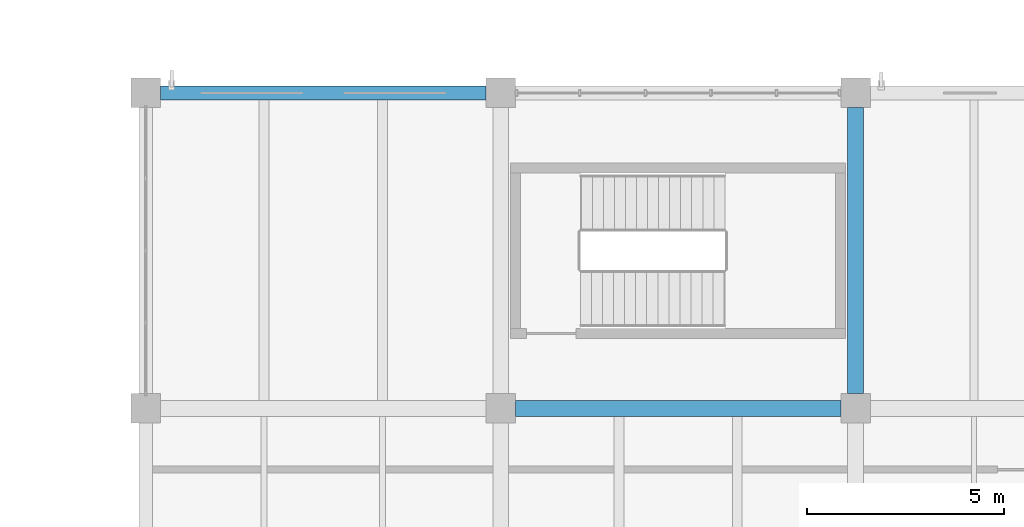
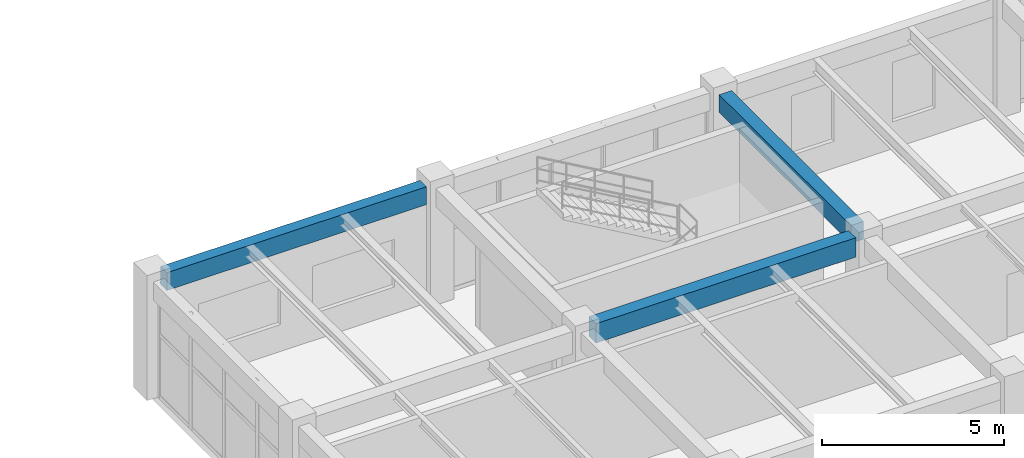
# One storey, part 83 of 148: 3 beams.
"""IFC4 building model written with IfcOpenShell, lengths in metres."""

from ifc_helpers import new_model, si_unit, derived_unit, direction, frame, origin, origin_2d, place, context, subcontext, project, spatial, rectangle, extrude, material, material_profile, profile_set, type_object, element, save


model = new_model("IFC4")

# Units and contexts
model_context = context("Model", 3, precision=1e-05, world=origin(), true_north=direction((0.0, 1.0)))
body_context = subcontext(model_context, "Body", "Model", "MODEL_VIEW")
ifc_project = project(units=[si_unit("LENGTHUNIT", "METRE"), si_unit("AREAUNIT", "SQUARE_METRE"), si_unit("VOLUMEUNIT", "CUBIC_METRE"), si_unit("PLANEANGLEUNIT", "RADIAN"), si_unit("MASSUNIT", "GRAM", prefix="KILO"), derived_unit("THERMALTRANSMITTANCEUNIT", [(si_unit("MASSUNIT", "GRAM", prefix="KILO"), 1), (si_unit("TIMEUNIT", "SECOND"), -3), (si_unit("THERMODYNAMICTEMPERATUREUNIT", "KELVIN"), -1)])], contexts=[model_context])

# Site, building, storey
site_placement = place(None, origin())
site = spatial("IfcSite", under=ifc_project, at=site_placement, CompositionType="ELEMENT")
building_placement = place(site_placement, origin())
building = spatial("IfcBuilding", under=site, at=building_placement, Name="Zhenchuan Archway Interchange", CompositionType="ELEMENT")
storey_placement = place(building_placement, frame((0.0, 0.0, 10.199951171875)))
storey = spatial("IfcBuildingStorey", under=building, at=storey_placement, Name="L02", CompositionType="ELEMENT", Elevation=10.199951171875)

# Beams
ifc_material = material(Name="Concrete C40", Category="concrete")
ifc_material_profile_1 = material_profile(ifc_material, rectangle(XDim=0.39990234375, YDim=0.60009765625, at=origin_2d()), Name="RC 400x600")
ifc_profile_set_1 = profile_set([ifc_material_profile_1], Name="Concrete C40")
beam_type_1 = type_object("IfcBeamType", Name="BM_RC_400x600", PredefinedType="BEAM", material=ifc_profile_set_1)
beam_1_placement = place(storey_placement, frame((126.0, 96.375, 3.6201171875), z_axis=(0.0, 1.0, 0.0), x_axis=(-1.0, 0.0, 0.0)))
element("IfcBeam", 1, at=beam_1_placement, inside=storey, type_object=beam_type_1, Name="Beam 15:N-O (L02)", PredefinedType="BEAM", context=body_context, shape_type="SweptSolid", body=[
    extrude(rectangle(XDim=0.39990234375, YDim=0.60009765625, at=origin_2d()), origin(), (0.0, 0.0, 1.0), 7.25),
])
ifc_material_profile_2 = material_profile(ifc_material, rectangle(XDim=0.39990234375, YDim=0.64990234375, at=origin_2d()), Name="RC 400x650")
ifc_profile_set_2 = profile_set([ifc_material_profile_2], Name="Concrete C40")
beam_type_2 = type_object("IfcBeamType", Name="BM_RC_400x650", PredefinedType="BEAM", material=ifc_profile_set_2)
beam_2_placement = place(storey_placement, frame((117.375, 96.0, 3.594970703125), z_axis=(1.0, 0.0, 0.0), x_axis=(0.0, 1.0, 0.0)))
element("IfcBeam", 2, at=beam_2_placement, inside=storey, type_object=beam_type_2, Name="Beam N:14-15 (L02)", PredefinedType="BEAM", context=body_context, shape_type="SweptSolid", body=[
    extrude(rectangle(XDim=0.39990234375, YDim=0.64990234375, at=origin_2d()), origin(), (0.0, 0.0, 1.0), 8.25),
])
ifc_material_profile_3 = material_profile(ifc_material, rectangle(XDim=0.35009765625, YDim=0.60009765625, at=origin_2d()), Name="RC 350x600")
ifc_profile_set_3 = profile_set([ifc_material_profile_3], Name="Concrete C40")
beam_type_3 = type_object("IfcBeamType", Name="SP_RC_350x600", PredefinedType="SPANDREL", material=ifc_profile_set_3)
beam_3_placement = place(storey_placement, frame((108.375, 104.0, 3.6201171875), z_axis=(1.0, 0.0, 0.0), x_axis=(0.0, 1.0, 0.0)))
element("IfcBeam", 3, at=beam_3_placement, inside=storey, type_object=beam_type_3, Name="Beam O:13-14 (L02)", PredefinedType="SPANDREL", context=body_context, shape_type="SweptSolid", body=[
    extrude(rectangle(XDim=0.35009765625, YDim=0.60009765625, at=origin_2d()), origin(), (0.0, 0.0, 1.0), 8.25),
])

save(model, "model.ifc")
